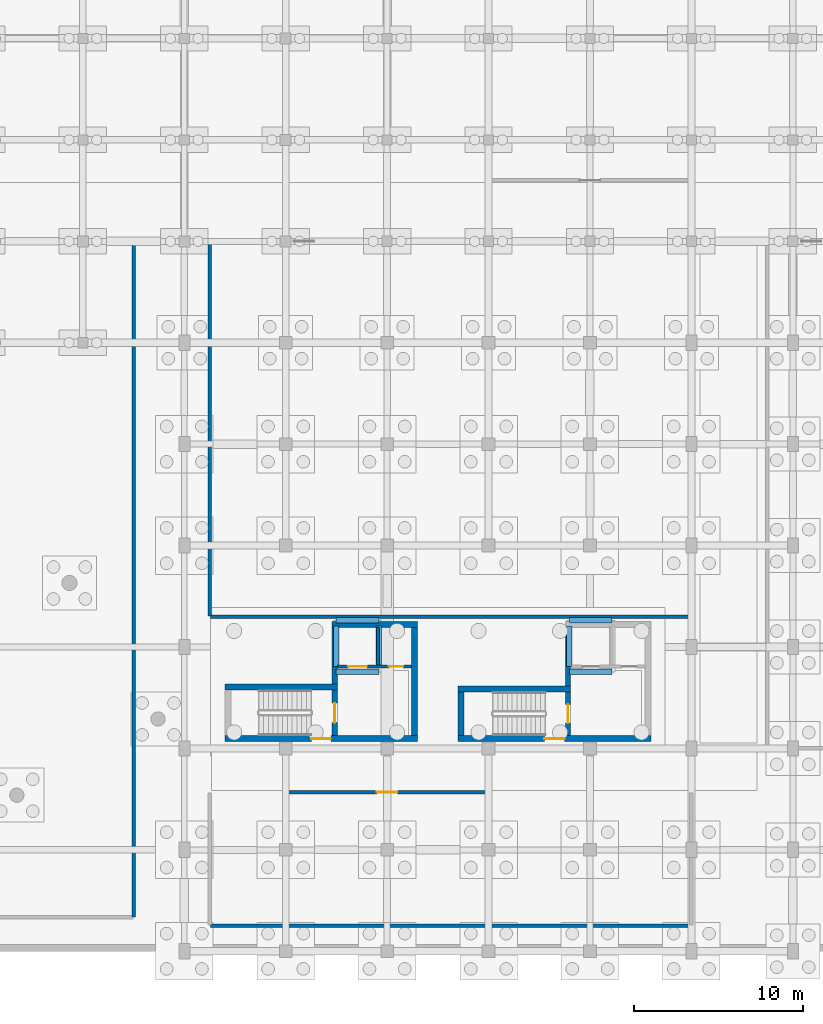
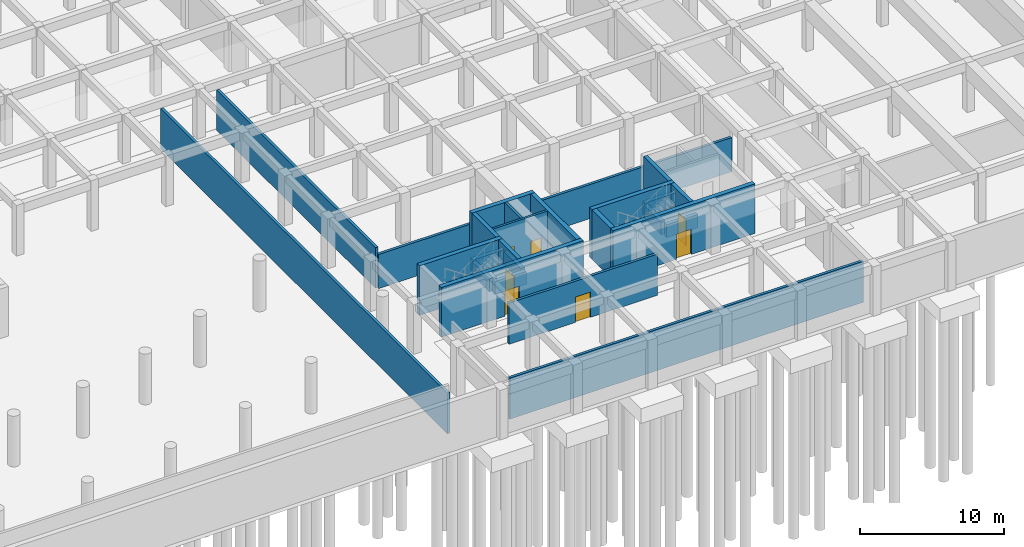
# One storey, part 27 of 41: 25 walls, 7 doors, 7 openings.
"""IFC4 building model written with IfcOpenShell, lengths in metres."""

import ifcopenshell
import ifcopenshell.guid

model = None  # the IFC model being written
_history = None  # IfcOwnerHistory: only IFC2X3 demands one
_inside = {}  # id of a spatial element -> (the spatial element, [elements in it])
_under = {}  # id of a project, library or spatial element -> (it, [spatial elements below it])
_declared = {}  # id of a project -> (the project, [libraries it declares])
_typed = {}  # id of a type object -> (the type object, [elements of that type])
_made_of = {}  # id of a material, layer set ... -> (it, [elements and type objects made of it])


def new_model(schema):
    """Start an empty IFC model of exactly this schema.

    Asked for "IFC4X3", IfcOpenShell would pick the latest addendum, in which some entities
    have other attributes; the version numbers below select the first issue.
    IFC2X3 requires an IfcOwnerHistory on every rooted entity: one is made here for all.
    """
    global model, _history
    if schema == "IFC4X3":
        model = ifcopenshell.file(schema_version=(4, 3, 0, 0))
    else:
        model = ifcopenshell.file(schema=schema)
    _inside.clear()
    _under.clear()
    _declared.clear()
    _typed.clear()
    _made_of.clear()
    _history = None
    if model.schema == "IFC2X3":
        org = make("IfcOrganization", Name="unknown")
        user = make(
            "IfcPersonAndOrganization",
            ThePerson=make("IfcPerson", FamilyName="unknown"),
            TheOrganization=org,
        )
        app = make(
            "IfcApplication",
            ApplicationDeveloper=org,
            Version="unknown",
            ApplicationFullName="unknown",
            ApplicationIdentifier="unknown",
        )
        _history = make(
            "IfcOwnerHistory",
            OwningUser=user,
            OwningApplication=app,
            ChangeAction="ADDED",
            CreationDate=0,
        )
    return model


def make(cls, **values):
    """One entity of the class cls with the attributes given. An attribute that is None is left unset."""
    return model.create_entity(
        cls, **{name: value for name, value in values.items() if value is not None}
    )


def rooted(cls, **values):
    """An entity with a GlobalId (a new one), such as an element, a storey or a relation."""
    return make(cls, GlobalId=ifcopenshell.guid.new(), OwnerHistory=_history, **values)


def si_unit(unit_type, name, prefix=None):
    """IfcSIUnit, for example si_unit("LENGTHUNIT", "METRE", prefix="MILLI")."""
    return make("IfcSIUnit", UnitType=unit_type, Prefix=prefix, Name=name)


def assignment(units):
    """IfcUnitAssignment: the units of a project."""
    return None if units is None else make("IfcUnitAssignment", Units=units)


def point(xyz):
    """IfcCartesianPoint."""
    return None if xyz is None else make("IfcCartesianPoint", Coordinates=xyz)


def direction(xyz):
    """IfcDirection."""
    return None if xyz is None else make("IfcDirection", DirectionRatios=xyz)


def frame(location, z_axis=None, x_axis=None):
    """IfcAxis2Placement3D, a coordinate frame: its origin and axes. An axis left out is left unset."""
    return make(
        "IfcAxis2Placement3D",
        Location=point(location),
        Axis=direction(z_axis),
        RefDirection=direction(x_axis),
    )


def frame_2d(location, x_axis=None):
    """IfcAxis2Placement2D, a coordinate frame in the plane: its origin and x axis."""
    return make(
        "IfcAxis2Placement2D", Location=point(location), RefDirection=direction(x_axis)
    )


def origin():
    """The frame at (0, 0, 0) with its axes left unset."""
    return frame((0.0, 0.0, 0.0))


def place(relative_to, where):
    """IfcLocalPlacement: puts the frame where relative to a parent placement (None: the world)."""
    return make(
        "IfcLocalPlacement", PlacementRelTo=relative_to, RelativePlacement=where
    )


def context(
    kind, dimensions, precision=None, world=None, true_north=None, identifier=None
):
    """IfcGeometricRepresentationContext, for example the 3D "Model" context."""
    return make(
        "IfcGeometricRepresentationContext",
        ContextIdentifier=identifier,
        ContextType=kind,
        CoordinateSpaceDimension=dimensions,
        Precision=precision,
        WorldCoordinateSystem=world,
        TrueNorth=true_north,
    )


def subcontext(parent, identifier, kind, view, scale=None):
    """IfcGeometricRepresentationSubContext, for example "Body" below "Model"."""
    return make(
        "IfcGeometricRepresentationSubContext",
        ContextIdentifier=identifier,
        ContextType=kind,
        ParentContext=parent,
        TargetScale=scale,
        TargetView=view,
    )


def project(units=None, contexts=None):
    """IfcProject with its units and contexts."""
    return rooted(
        "IfcProject",
        Name="project",
        RepresentationContexts=contexts,
        UnitsInContext=assignment(units),
    )


def spatial(cls, under=None, at=None, **own):
    """A site, building, storey or space (cls), placed at a placement, below another one or the project."""
    s = rooted(cls, ObjectPlacement=at, **own)
    if under is not None:
        _under.setdefault(under.id(), (under, []))[1].append(s)
    return s


def profile(cls, at=None, kind="AREA", **sizes):
    """A parametric profile (cls). Its sizes go by their IFC names, for example OverallWidth=200.0."""
    return make(cls, ProfileType=kind, Position=at, **sizes)


def rectangle(**sizes):
    """IfcRectangleProfileDef."""
    return profile("IfcRectangleProfileDef", **sizes)


def extrude(swept, where, along, depth):
    """IfcExtrudedAreaSolid: the profile swept, set in the frame where, extruded along a direction by depth."""
    return make(
        "IfcExtrudedAreaSolid",
        SweptArea=swept,
        Position=where,
        ExtrudedDirection=direction(along),
        Depth=depth,
    )


def shape(context_of_items, identifier, shape_type, items):
    """IfcShapeRepresentation: the items that make up one representation, for example the "Body"."""
    return make(
        "IfcShapeRepresentation",
        ContextOfItems=context_of_items,
        RepresentationIdentifier=identifier,
        RepresentationType=shape_type,
        Items=items,
    )


def material(Name=None, Category=None):
    """IfcMaterial."""
    return make("IfcMaterial", Name=Name, Category=Category)


def layer(
    of_material, thickness, ventilated=None, Name=None, Category=None, Priority=None
):
    """IfcMaterialLayer: one layer of a wall or slab, of a material (None: an air gap)."""
    return make(
        "IfcMaterialLayer",
        Material=of_material,
        LayerThickness=thickness,
        IsVentilated=ventilated,
        Name=Name,
        Category=Category,
        Priority=Priority,
    )


def layer_set(layers, Name=None):
    """IfcMaterialLayerSet."""
    return make("IfcMaterialLayerSet", MaterialLayers=layers, LayerSetName=Name)


def made_of(thing, what):
    """Note that an element or type object is made of a material, layer set ...; save() writes the relation."""
    if what is not None:
        _made_of.setdefault(what.id(), (what, []))[1].append(thing)
    return thing


def type_object(cls, material=None, **own):
    """A type object (cls), such as IfcWallType, which elements share."""
    return made_of(rooted(cls, **own), material)


def element(
    cls,
    number,
    at=None,
    inside=None,
    cuts=None,
    type_object=None,
    material=None,
    context=None,
    identifier="Body",
    shape_type=None,
    held_by="IfcProductDefinitionShape",
    body=None,
    shapes=None,
    **own,
):
    """One element of the class cls, such as IfcWall. Its Tag is "e" and its number.

    at: its placement. inside: the storey or other place that contains it. cuts: it is an
    opening in that element (IfcRelVoidsElement). A single representation is given by context,
    identifier, shape_type and body (its items); several are given by shapes. held_by: the class
    of the entity that holds the representations. save() writes the other relations.
    """
    e = rooted(cls, Tag="e%d" % number, ObjectPlacement=at, **own)
    if body is not None:
        shapes = [shape(context, identifier, shape_type, body)]
    if shapes is not None:
        e.Representation = make(held_by, Representations=shapes)
    if inside is not None:
        _inside.setdefault(inside.id(), (inside, []))[1].append(e)
    if cuts is not None:
        rooted(
            "IfcRelVoidsElement", RelatingBuildingElement=cuts, RelatedOpeningElement=e
        )
    if type_object is not None:
        _typed.setdefault(type_object.id(), (type_object, []))[1].append(e)
    return made_of(e, material)


def fill(opening, filler):
    """IfcRelFillsElement: the door or window that sits in an opening."""
    return rooted(
        "IfcRelFillsElement",
        RelatingOpeningElement=opening,
        RelatedBuildingElement=filler,
    )


def aggregate(whole, parts):
    """IfcRelAggregates: a whole, such as a stair, and the parts it consists of."""
    return rooted("IfcRelAggregates", RelatingObject=whole, RelatedObjects=parts)


def save(model, path):
    """Write the relations noted so far, then the file.

    IfcRelAggregates (storeys below a building ...), IfcRelContainedInSpatialStructure (elements
    in a storey), IfcRelDefinesByType, IfcRelAssociatesMaterial and IfcRelDeclares: one each for
    every whole, place, type object, material and project.
    """
    for whole, parts in _under.values():
        aggregate(whole, parts)
    for where, things in _inside.values():
        rooted(
            "IfcRelContainedInSpatialStructure",
            RelatedElements=things,
            RelatingStructure=where,
        )
    for kind, things in _typed.values():
        rooted("IfcRelDefinesByType", RelatedObjects=things, RelatingType=kind)
    for what, things in _made_of.values():
        rooted("IfcRelAssociatesMaterial", RelatedObjects=things, RelatingMaterial=what)
    for by, libraries in _declared.values():
        rooted("IfcRelDeclares", RelatingContext=by, RelatedDefinitions=libraries)
    model.write(path)


model = new_model("IFC4")

# Units and contexts
model_context = context("Model", 3, precision=1e-05, world=origin(), true_north=direction((0.0, 1.0)))
body_context = subcontext(model_context, "Body", "Model", "MODEL_VIEW")
ifc_project = project(units=[si_unit("LENGTHUNIT", "METRE"), si_unit("AREAUNIT", "SQUARE_METRE"), si_unit("VOLUMEUNIT", "CUBIC_METRE"), si_unit("PLANEANGLEUNIT", "RADIAN"), si_unit("MASSUNIT", "GRAM", prefix="KILO"), si_unit("POWERUNIT", "WATT"), si_unit("THERMODYNAMICTEMPERATUREUNIT", "KELVIN")], contexts=[model_context])

# Site, building, storey
site_placement = place(None, origin())
site = spatial("IfcSite", under=ifc_project, at=site_placement, CompositionType="ELEMENT")
building_placement = place(site_placement, origin())
building = spatial("IfcBuilding", under=site, at=building_placement, Name="Ruvembo Vaulted Housing Court", CompositionType="ELEMENT")
storey_placement = place(building_placement, frame((0.0, 0.0, -4.5)))
storey = spatial("IfcBuildingStorey", under=building, at=storey_placement, Name="B1", CompositionType="ELEMENT", Elevation=-4.5)

# Wall, opening, door
ifc_material_1 = material(Name="Concrete C35/45", Category="concrete")
ifc_layer_1 = layer(ifc_material_1, 0.300048828125, Name="Concrete C35/45")
ifc_layer_set_1 = layer_set([ifc_layer_1], Name="Concrete C35/45")
wall_type_1 = type_object("IfcWallType", Name="WL-CORE-300", PredefinedType="SHEAR", material=ifc_layer_set_1)
wall_1_placement = place(storey_placement, frame((110.89990234375, 12.75, 0.0), z_axis=(0.0, 0.0, 1.0), x_axis=(0.0, 1.0, 0.0)))
wall_1 = element("IfcWall", 1, at=wall_1_placement, inside=storey, type_object=wall_type_1, Name="Core C1 B1 Stair-Lobby Shear Wall", PredefinedType="SHEAR", context=body_context, shape_type="SweptSolid", body=[
    extrude(rectangle(XDim=2.699951171875, YDim=0.300048828125, at=frame_2d((1.35009765625, 0.0))), origin(), (0.0, 0.0, 1.0), 4.215087890625),
])
opening_1_placement = place(wall_1_placement, frame((0.77490234375, 0.0, 0.0)))
opening_1 = element("IfcOpeningElement", 2, at=opening_1_placement, cuts=wall_1, Name="Opening SD1", PredefinedType="OPENING", context=body_context, shape_type="SweptSolid", body=[
    extrude(rectangle(XDim=1.14990234375, YDim=2.14990234375, at=frame_2d((0.574951171875, 1.074951171875))), frame((0.0, 0.159912109375, 0.0), z_axis=(0.0, -1.0, 0.0), x_axis=(1.0, 0.0, 0.0)), (0.0, 0.0, 1.0), 0.320068359375),
])
ifc_material_2 = material(Name="Galvanised Painted Steel", Category="steel")
door_type_1 = type_object("IfcDoorType", Name="DR-STAIR-1150x2150", OperationType="NOTDEFINED", PredefinedType="DOOR", material=ifc_material_2)
door_1_placement = place(opening_1_placement, origin())
door_1 = element("IfcDoor", 3, at=door_1_placement, inside=storey, type_object=door_type_1, Name="Stair ST-C1 B1 Fire Door", OperationType="SINGLE_SWING_RIGHT", OverallHeight=2.14990234375, OverallWidth=1.14990234375, PredefinedType="DOOR", context=body_context, shape_type="SweptSolid", body=[
    extrude(rectangle(XDim=1.14990234375, YDim=2.14990234375, at=frame_2d((0.574951171875, 1.074951171875))), frame((0.0, 0.02490234375, 0.0), z_axis=(0.0, -1.0, 0.0), x_axis=(1.0, 0.0, 0.0)), (0.0, 0.0, 1.0), 0.050048828125),
])
fill(opening_1, door_1)

# Wall
wall_2_placement = place(storey_placement, frame((110.89990234375, 15.800048828125, 0.0), z_axis=(0.0, 0.0, 1.0), x_axis=(0.0, 1.0, 0.0)))
element("IfcWall", 4, at=wall_2_placement, inside=storey, type_object=wall_type_1, Name="Core C1 B1 Upper West Shear Wall", PredefinedType="SHEAR", context=body_context, shape_type="SweptSolid", body=[
    extrude(rectangle(XDim=3.349853515625, YDim=0.300048828125, at=frame_2d((1.6748046875, 0.0))), origin(), (0.0, 0.0, 1.0), 4.215087890625),
])

# Wall, opening, door
wall_3_placement = place(storey_placement, frame((124.699951171875, 12.75, 0.0), z_axis=(0.0, 0.0, 1.0), x_axis=(0.0, 1.0, 0.0)))
wall_3 = element("IfcWall", 5, at=wall_3_placement, inside=storey, type_object=wall_type_1, Name="Core C2 B1 Stair-Lobby Shear Wall", PredefinedType="SHEAR", context=body_context, shape_type="SweptSolid", body=[
    extrude(rectangle(XDim=2.60009765625, YDim=0.300048828125, at=frame_2d((1.300048828125, 0.0))), origin(), (0.0, 0.0, 1.0), 4.215087890625),
])
opening_2_placement = place(wall_3_placement, frame((0.75, 0.0, 0.0)))
opening_2 = element("IfcOpeningElement", 6, at=opening_2_placement, cuts=wall_3, Name="Opening SD2", PredefinedType="OPENING", context=body_context, shape_type="SweptSolid", body=[
    extrude(rectangle(XDim=1.10009765625, YDim=2.14990234375, at=frame_2d((0.550048828125, 1.074951171875))), frame((0.0, 0.159912109375, 0.0), z_axis=(0.0, -1.0, 0.0), x_axis=(1.0, 0.0, 0.0)), (0.0, 0.0, 1.0), 0.320068359375),
])
door_type_2 = type_object("IfcDoorType", Name="DR-STAIR-1100x2150", OperationType="NOTDEFINED", PredefinedType="DOOR", material=ifc_material_2)
door_2_placement = place(opening_2_placement, origin())
door_2 = element("IfcDoor", 7, at=door_2_placement, inside=storey, type_object=door_type_2, Name="Stair ST-C2 B1 Fire Door", OperationType="SINGLE_SWING_LEFT", OverallHeight=2.14990234375, OverallWidth=1.10009765625, PredefinedType="DOOR", context=body_context, shape_type="SweptSolid", body=[
    extrude(rectangle(XDim=1.10009765625, YDim=2.14990234375, at=frame_2d((0.550048828125, 1.074951171875))), frame((0.0, 0.02490234375, 0.0), z_axis=(0.0, -1.0, 0.0), x_axis=(1.0, 0.0, 0.0)), (0.0, 0.0, 1.0), 0.050048828125),
])
fill(opening_2, door_2)

# Wall
wall_4_placement = place(storey_placement, frame((124.699951171875, 15.699951171875, 0.0), z_axis=(0.0, 0.0, 1.0), x_axis=(0.0, 1.0, 0.0)))
element("IfcWall", 8, at=wall_4_placement, inside=storey, type_object=wall_type_1, Name="Core C2 B1 Upper West Shear Wall", PredefinedType="SHEAR", context=body_context, shape_type="SweptSolid", body=[
    extrude(rectangle(XDim=3.449951171875, YDim=0.300048828125, at=frame_2d((1.72509765625, 0.0))), origin(), (0.0, 0.0, 1.0), 4.215087890625),
])

# Wall, opening, door
ifc_layer_2 = layer(ifc_material_1, 0.35009765625, Name="Concrete C35/45")
ifc_layer_set_2 = layer_set([ifc_layer_2], Name="Concrete C35/45")
wall_type_2 = type_object("IfcWallType", Name="WL-CORE-350", PredefinedType="SHEAR", material=ifc_layer_set_2)
wall_5_placement = place(storey_placement, frame((104.39990234375, 12.574951171875, 0.0), z_axis=(0.0, 0.0, 1.0), x_axis=(1.0, 0.0, 0.0)))
wall_5 = element("IfcWall", 9, at=wall_5_placement, inside=storey, type_object=wall_type_2, Name="Core C1 B1 South Shear Wall", PredefinedType="SHEAR", context=body_context, shape_type="SweptSolid", body=[
    extrude(rectangle(XDim=11.400146484375, YDim=0.35009765625, at=frame_2d((5.7001953125, 0.0))), origin(), (0.0, 0.0, 1.0), 4.215087890625),
])
opening_3_placement = place(wall_5_placement, frame((5.125, 0.0, 0.0)))
opening_3 = element("IfcOpeningElement", 10, at=opening_3_placement, cuts=wall_5, Name="Opening LD0", PredefinedType="OPENING", context=body_context, shape_type="SweptSolid", body=[
    extrude(rectangle(XDim=1.14990234375, YDim=2.14990234375, at=frame_2d((0.574951171875, 1.074951171875))), frame((0.0, 0.18505859375, 0.0), z_axis=(0.0, -1.0, 0.0), x_axis=(1.0, 0.0, 0.0)), (0.0, 0.0, 1.0), 0.3701171875),
])
door_type_3 = type_object("IfcDoorType", Name="DR-LOB-1150x2150", OperationType="NOTDEFINED", PredefinedType="DOOR", material=ifc_material_2)
door_3_placement = place(opening_3_placement, origin())
door_3 = element("IfcDoor", 11, at=door_3_placement, inside=storey, type_object=door_type_3, Name="Core C1 B1 Lobby Fire Door", OperationType="SINGLE_SWING_LEFT", OverallHeight=2.14990234375, OverallWidth=1.14990234375, PredefinedType="DOOR", context=body_context, shape_type="SweptSolid", body=[
    extrude(rectangle(XDim=1.14990234375, YDim=2.14990234375, at=frame_2d((0.574951171875, 1.074951171875))), frame((0.0, 0.02490234375, 0.0), z_axis=(0.0, -1.0, 0.0), x_axis=(1.0, 0.0, 0.0)), (0.0, 0.0, 1.0), 0.050048828125),
])
fill(opening_3, door_3)

# Walls
wall_6_placement = place(storey_placement, frame((111.050048828125, 15.625, 0.0), z_axis=(0.0, 0.0, 1.0), x_axis=(-1.0, 0.0, 0.0)))
element("IfcWall", 12, at=wall_6_placement, inside=storey, type_object=wall_type_2, Name="Core C1 B1 Stair North Shear Wall", PredefinedType="SHEAR", context=body_context, shape_type="SweptSolid", body=[
    extrude(rectangle(XDim=6.650146484375, YDim=0.35009765625, at=frame_2d((3.3251953125, 0.0))), origin(), (0.0, 0.0, 1.0), 4.215087890625),
])
wall_7_placement = place(storey_placement, frame((115.800048828125, 19.324951171875, 0.0), z_axis=(0.0, 0.0, 1.0), x_axis=(-1.0, 0.0, 0.0)))
element("IfcWall", 13, at=wall_7_placement, inside=storey, type_object=wall_type_2, Name="Core C1 B1 North Shear Wall", PredefinedType="SHEAR", context=body_context, shape_type="SweptSolid", body=[
    extrude(rectangle(XDim=5.050048828125, YDim=0.35009765625, at=frame_2d((2.52490234375, 0.0))), origin(), (0.0, 0.0, 1.0), 4.215087890625),
])
wall_8_placement = place(storey_placement, frame((115.625, 12.75, 0.0), z_axis=(0.0, 0.0, 1.0), x_axis=(0.0, 1.0, 0.0)))
element("IfcWall", 14, at=wall_8_placement, inside=storey, type_object=wall_type_2, Name="Core C1 B1 East Shear Wall", PredefinedType="SHEAR", context=body_context, shape_type="SweptSolid", body=[
    extrude(rectangle(XDim=6.39990234375, YDim=0.35009765625, at=frame_2d((3.199951171875, 0.0))), origin(), (0.0, 0.0, 1.0), 4.215087890625),
])

# Wall, opening, door
wall_9_placement = place(storey_placement, frame((118.199951171875, 12.574951171875, 0.0), z_axis=(0.0, 0.0, 1.0), x_axis=(1.0, 0.0, 0.0)))
wall_9 = element("IfcWall", 15, at=wall_9_placement, inside=storey, type_object=wall_type_2, Name="Core C2 B1 South Shear Wall", PredefinedType="SHEAR", context=body_context, shape_type="SweptSolid", body=[
    extrude(rectangle(XDim=11.400146484375, YDim=0.35009765625, at=frame_2d((5.7001953125, 0.0))), origin(), (0.0, 0.0, 1.0), 4.215087890625),
])
opening_4_placement = place(wall_9_placement, frame((5.10009765625, 0.0, 0.0)))
opening_4 = element("IfcOpeningElement", 16, at=opening_4_placement, cuts=wall_9, Name="Opening LD3", PredefinedType="OPENING", context=body_context, shape_type="SweptSolid", body=[
    extrude(rectangle(XDim=1.199951171875, YDim=2.14990234375, at=frame_2d((0.60009765625, 1.074951171875))), frame((0.0, 0.18505859375, 0.0), z_axis=(0.0, -1.0, 0.0), x_axis=(1.0, 0.0, 0.0)), (0.0, 0.0, 1.0), 0.3701171875),
])
door_type_4 = type_object("IfcDoorType", Name="DR-LOB-1200x2150", OperationType="NOTDEFINED", PredefinedType="DOOR", material=ifc_material_2)
door_4_placement = place(opening_4_placement, origin())
door_4 = element("IfcDoor", 17, at=door_4_placement, inside=storey, type_object=door_type_4, Name="Core C2 B1 Lobby Fire Door", OperationType="SINGLE_SWING_RIGHT", OverallHeight=2.14990234375, OverallWidth=1.199951171875, PredefinedType="DOOR", context=body_context, shape_type="SweptSolid", body=[
    extrude(rectangle(XDim=1.199951171875, YDim=2.14990234375, at=frame_2d((0.60009765625, 1.074951171875))), frame((0.0, 0.02490234375, 0.0), z_axis=(0.0, -1.0, 0.0), x_axis=(1.0, 0.0, 0.0)), (0.0, 0.0, 1.0), 0.050048828125),
])
fill(opening_4, door_4)

# Walls
wall_10_placement = place(storey_placement, frame((124.85009765625, 15.52490234375, 0.0), z_axis=(0.0, 0.0, 1.0), x_axis=(-1.0, 0.0, 0.0)))
element("IfcWall", 18, at=wall_10_placement, inside=storey, type_object=wall_type_2, Name="Core C2 B1 Stair North Shear Wall", PredefinedType="SHEAR", context=body_context, shape_type="SweptSolid", body=[
    extrude(rectangle(XDim=6.650146484375, YDim=0.35009765625, at=frame_2d((3.3251953125, 0.0))), origin(), (0.0, 0.0, 1.0), 4.215087890625),
])
wall_11_placement = place(storey_placement, frame((118.375, 15.35009765625, 0.0), z_axis=(0.0, 0.0, 1.0), x_axis=(0.0, -1.0, 0.0)))
element("IfcWall", 19, at=wall_11_placement, inside=storey, type_object=wall_type_2, Name="Core C2 B1 Stair West Shear Wall", PredefinedType="SHEAR", context=body_context, shape_type="SweptSolid", body=[
    extrude(rectangle(XDim=2.60009765625, YDim=0.35009765625, at=frame_2d((1.300048828125, 0.0))), origin(), (0.0, 0.0, 1.0), 4.215087890625),
])

# Wall, opening, door
ifc_material_3 = material(Name="Concrete Blockwork 210", Category="masonry")
ifc_layer_3 = layer(ifc_material_3, 0.2099609375, Name="Concrete Blockwork 210")
ifc_layer_set_3 = layer_set([ifc_layer_3], Name="Concrete Blockwork 210")
wall_type_3 = type_object("IfcWallType", Name="WL-CORR-210", PredefinedType="SOLIDWALL", material=ifc_layer_set_3)
wall_12_placement = place(storey_placement, frame((108.0400390625, 9.39990234375, 0.0), z_axis=(0.0, 0.0, 1.0), x_axis=(1.0, 0.0, 0.0)))
wall_12 = element("IfcWall", 20, at=wall_12_placement, inside=storey, type_object=wall_type_3, Name="B1 Cooperative Bulk Cold & Dry Stores WL-INT-B1-00017", PredefinedType="SOLIDWALL", context=body_context, shape_type="SweptSolid", body=[
    extrude(rectangle(XDim=11.919921875, YDim=0.2099609375, at=frame_2d((5.9599609375, 0.0))), origin(), (0.0, 0.0, 1.0), 3.4970703125),
])
opening_5_placement = place(wall_12_placement, frame((5.360107421875, 0.0, 0.0)))
opening_5 = element("IfcOpeningElement", 21, at=opening_5_placement, cuts=wall_12, Name="Opening PD1", PredefinedType="OPENING", context=body_context, shape_type="SweptSolid", body=[
    extrude(rectangle(XDim=1.199951171875, YDim=2.14990234375, at=frame_2d((0.60009765625, 1.074951171875))), frame((0.0, 0.114990234375, 0.0), z_axis=(0.0, -1.0, 0.0), x_axis=(1.0, 0.0, 0.0)), (0.0, 0.0, 1.0), 0.22998046875),
])
door_type_5 = type_object("IfcDoorType", Name="DR-PLANT-1200x2150", OperationType="NOTDEFINED", PredefinedType="DOOR", material=ifc_material_2)
door_5_placement = place(opening_5_placement, origin())
door_5 = element("IfcDoor", 22, at=door_5_placement, inside=storey, type_object=door_type_5, Name="B1 Cooperative Bulk Cold & Dry Stores Door DR-INT-B1-00005", OperationType="SINGLE_SWING_LEFT", OverallHeight=2.14990234375, OverallWidth=1.199951171875, PredefinedType="DOOR", context=body_context, shape_type="SweptSolid", body=[
    extrude(rectangle(XDim=1.199951171875, YDim=2.14990234375, at=frame_2d((0.60009765625, 1.074951171875))), frame((0.0, 0.02490234375, 0.0), z_axis=(0.0, -1.0, 0.0), x_axis=(1.0, 0.0, 0.0)), (0.0, 0.0, 1.0), 0.050048828125),
])
fill(opening_5, door_5)

# Walls
wall_13_placement = place(storey_placement, frame((103.5400390625, 1.5, 0.0), z_axis=(0.0, 0.0, 1.0), x_axis=(1.0, 0.0, 0.0)))
element("IfcWall", 23, at=wall_13_placement, inside=storey, type_object=wall_type_3, Name="B1 Cooperative Bulk Cold & Dry Stores WL-INT-B1-00018", PredefinedType="SOLIDWALL", context=body_context, shape_type="SweptSolid", body=[
    extrude(rectangle(XDim=28.419921875, YDim=0.2099609375, at=frame_2d((14.2099609375, 0.0))), origin(), (0.0, 0.0, 1.0), 3.4970703125),
])
wall_14_placement = place(storey_placement, frame((103.5400390625, 19.800048828125, 0.0), z_axis=(0.0, 0.0, 1.0), x_axis=(1.0, 0.0, 0.0)))
element("IfcWall", 24, at=wall_14_placement, inside=storey, type_object=wall_type_3, Name="B1 Greywater Treatment & Pump Plant WL-INT-B1-00022", PredefinedType="SOLIDWALL", context=body_context, shape_type="SweptSolid", body=[
    extrude(rectangle(XDim=28.419921875, YDim=0.2099609375, at=frame_2d((14.2099609375, 0.0))), origin(), (0.0, 0.0, 1.0), 2.89697265625),
])
wall_15_placement = place(storey_placement, frame((103.5, 41.9599609375, 0.0), z_axis=(0.0, 0.0, 1.0), x_axis=(0.0, -1.0, 0.0)))
element("IfcWall", 25, at=wall_15_placement, inside=storey, type_object=wall_type_3, Name="B1 Greywater Treatment & Pump Plant WL-INT-B1-00024", PredefinedType="SOLIDWALL", context=body_context, shape_type="SweptSolid", body=[
    extrude(rectangle(XDim=22.119873046875, YDim=0.2099609375, at=frame_2d((11.06005859375, 0.0))), origin(), (0.0, 0.0, 1.0), 3.447021484375),
])
wall_16_placement = place(storey_placement, frame((99.0, 2.0400390625, 0.0), z_axis=(0.0, 0.0, 1.0), x_axis=(0.0, 1.0, 0.0)))
element("IfcWall", 26, at=wall_16_placement, inside=storey, type_object=wall_type_3, Name="B1 Central Rainwater & Irrigation Retention Vault WL-INT-B1-00050", PredefinedType="SOLIDWALL", context=body_context, shape_type="SweptSolid", body=[
    extrude(rectangle(XDim=39.919921875, YDim=0.2099609375, at=frame_2d((19.9599609375, 0.0))), origin(), (0.0, 0.0, 1.0), 3.447021484375),
])
ifc_layer_4 = layer(ifc_material_1, 0.324951171875, Name="Concrete C35/45")
ifc_layer_set_4 = layer_set([ifc_layer_4], Name="Concrete C35/45")
wall_type_4 = type_object("IfcWallType", Name="WL-PIT-325", PredefinedType="SHEAR", material=ifc_layer_set_4)
wall_17_placement = place(storey_placement, frame((110.987548828125, 16.52490234375, -1.10009765625), z_axis=(0.0, 0.0, 1.0), x_axis=(1.0, 0.0, 0.0)))
element("IfcWall", 27, at=wall_17_placement, inside=storey, type_object=wall_type_4, Name="Lift LP-C1 Pit Wall 1", PredefinedType="SHEAR", context=body_context, shape_type="SweptSolid", body=[
    extrude(rectangle(XDim=2.52490234375, YDim=0.324951171875, at=frame_2d((1.262451171875, 0.0))), origin(), (0.0, 0.0, 1.0), 1.10009765625),
])
wall_18_placement = place(storey_placement, frame((113.512451171875, 16.85009765625, -1.10009765625), z_axis=(0.0, 0.0, 1.0), x_axis=(0.0, 1.0, 0.0)))
element("IfcWall", 28, at=wall_18_placement, inside=storey, type_object=wall_type_4, Name="Lift LP-C1 Pit Wall 2", PredefinedType="SHEAR", context=body_context, shape_type="SweptSolid", body=[
    extrude(rectangle(XDim=2.39990234375, YDim=0.324951171875, at=frame_2d((1.199951171875, 0.0))), origin(), (0.0, 0.0, 1.0), 1.10009765625),
])
wall_19_placement = place(storey_placement, frame((113.512451171875, 19.574951171875, -1.10009765625), z_axis=(0.0, 0.0, 1.0), x_axis=(-1.0, 0.0, 0.0)))
element("IfcWall", 29, at=wall_19_placement, inside=storey, type_object=wall_type_4, Name="Lift LP-C1 Pit Wall 3", PredefinedType="SHEAR", context=body_context, shape_type="SweptSolid", body=[
    extrude(rectangle(XDim=2.52490234375, YDim=0.324951171875, at=frame_2d((1.262451171875, 0.0))), origin(), (0.0, 0.0, 1.0), 1.10009765625),
])
wall_20_placement = place(storey_placement, frame((110.987548828125, 19.25, -1.10009765625), z_axis=(0.0, 0.0, 1.0), x_axis=(0.0, -1.0, 0.0)))
element("IfcWall", 30, at=wall_20_placement, inside=storey, type_object=wall_type_4, Name="Lift LP-C1 Pit Wall 4", PredefinedType="SHEAR", context=body_context, shape_type="SweptSolid", body=[
    extrude(rectangle(XDim=2.39990234375, YDim=0.324951171875, at=frame_2d((1.199951171875, 0.0))), origin(), (0.0, 0.0, 1.0), 1.10009765625),
])
for number, where, z_axis, x_axis, name in (
    (31, (124.78759765625, 16.52490234375, -1.10009765625), (0.0, 0.0, 1.0), (1.0, 0.0, 0.0), "Lift LP-C2 Pit Wall 1"),
    (32, (127.3125, 19.574951171875, -1.10009765625), (0.0, 0.0, 1.0), (-1.0, 0.0, 0.0), "Lift LP-C2 Pit Wall 3"),
):
    element("IfcWall", number, at=place(storey_placement, frame(where, z_axis=z_axis, x_axis=x_axis)), inside=storey, type_object=wall_type_4, Name=name, PredefinedType="SHEAR", context=body_context, shape_type="SweptSolid", body=[
        extrude(rectangle(XDim=2.52490234375, YDim=0.324951171875, at=frame_2d((1.262451171875, 0.0))), origin(), (0.0, 0.0, 1.0), 1.10009765625),
    ])
wall_21_placement = place(storey_placement, frame((124.78759765625, 19.25, -1.10009765625), z_axis=(0.0, 0.0, 1.0), x_axis=(0.0, -1.0, 0.0)))
element("IfcWall", 33, at=wall_21_placement, inside=storey, type_object=wall_type_4, Name="Lift LP-C2 Pit Wall 4", PredefinedType="SHEAR", context=body_context, shape_type="SweptSolid", body=[
    extrude(rectangle(XDim=2.39990234375, YDim=0.324951171875, at=frame_2d((1.199951171875, 0.0))), origin(), (0.0, 0.0, 1.0), 1.10009765625),
])

# Wall, openings, doors
ifc_material_4 = material(Name="Fire-Rated Masonry Shaft 180", Category="masonry")
ifc_layer_5 = layer(ifc_material_4, 0.179931640625, Name="Fire-Rated Masonry Shaft 180")
ifc_layer_set_5 = layer_set([ifc_layer_5], Name="Fire-Rated Masonry Shaft 180")
wall_type_5 = type_object("IfcWallType", Name="WL-SHAFT-180", PredefinedType="SOLIDWALL", material=ifc_layer_set_5)
wall_22_placement = place(storey_placement, frame((111.050048828125, 16.85009765625, 0.0), z_axis=(0.0, 0.0, 1.0), x_axis=(1.0, 0.0, 0.0)))
wall_22 = element("IfcWall", 34, at=wall_22_placement, inside=storey, type_object=wall_type_5, Name="Core C1 B1 Lift and Riser Front Wall", PredefinedType="SOLIDWALL", context=body_context, shape_type="SweptSolid", body=[
    extrude(rectangle(XDim=4.39990234375, YDim=0.179931640625, at=frame_2d((2.199951171875, 0.0))), origin(), (0.0, 0.0, 1.0), 4.215087890625),
])
opening_6_placement = place(wall_22_placement, frame((0.64990234375, 0.0, 0.0)))
opening_6 = element("IfcOpeningElement", 35, at=opening_6_placement, cuts=wall_22, Name="Opening LD-LP-C1-B1", PredefinedType="OPENING", context=body_context, shape_type="SweptSolid", body=[
    extrude(rectangle(XDim=1.10009765625, YDim=2.14990234375, at=frame_2d((0.550048828125, 1.074951171875))), frame((0.0, 0.099853515625, 0.0), z_axis=(0.0, -1.0, 0.0), x_axis=(1.0, 0.0, 0.0)), (0.0, 0.0, 1.0), 0.199951171875),
])
opening_7_placement = place(wall_22_placement, frame((3.050048828125, 0.0, 0.0)))
opening_7 = element("IfcOpeningElement", 36, at=opening_7_placement, cuts=wall_22, Name="Opening RD1", PredefinedType="OPENING", context=body_context, shape_type="SweptSolid", body=[
    extrude(rectangle(XDim=0.85009765625, YDim=2.10009765625, at=frame_2d((0.425048828125, 1.050048828125))), frame((0.0, 0.099853515625, 0.0), z_axis=(0.0, -1.0, 0.0), x_axis=(1.0, 0.0, 0.0)), (0.0, 0.0, 1.0), 0.199951171875),
])
ifc_material_5 = material(Name="Brushed Stainless Steel 304", Category="steel")
door_type_6 = type_object("IfcDoorType", Name="DR-LIFT-1100x2150", OperationType="NOTDEFINED", PredefinedType="DOOR", material=ifc_material_5)
door_6_placement = place(opening_6_placement, origin())
door_6 = element("IfcDoor", 37, at=door_6_placement, inside=storey, type_object=door_type_6, Name="Lift LP-C1 B1 Sliding Landing Door", OperationType="SLIDING_TO_LEFT", OverallHeight=2.14990234375, OverallWidth=1.10009765625, PredefinedType="DOOR", context=body_context, shape_type="SweptSolid", body=[
    extrude(rectangle(XDim=1.10009765625, YDim=2.14990234375, at=frame_2d((0.550048828125, 1.074951171875))), frame((0.0, 0.02490234375, 0.0), z_axis=(0.0, -1.0, 0.0), x_axis=(1.0, 0.0, 0.0)), (0.0, 0.0, 1.0), 0.050048828125),
])
fill(opening_6, door_6)
door_type_7 = type_object("IfcDoorType", Name="DR-RISER-0850x2100", OperationType="NOTDEFINED", PredefinedType="DOOR", material=ifc_material_2)
door_7_placement = place(opening_7_placement, frame((0.85009765625, 0.0, 0.0), z_axis=(0.0, 0.0, 1.0), x_axis=(-1.0, 0.0, 0.0)))
door_7 = element("IfcDoor", 38, at=door_7_placement, inside=storey, type_object=door_type_7, Name="Core C1 B1 Service Riser Door", OperationType="SINGLE_SWING_LEFT", OverallHeight=2.10009765625, OverallWidth=0.85009765625, PredefinedType="DOOR", context=body_context, shape_type="SweptSolid", body=[
    extrude(rectangle(XDim=0.85009765625, YDim=2.10009765625, at=frame_2d((0.425048828125, 1.050048828125))), frame((0.0, 0.02490234375, 0.0), z_axis=(0.0, -1.0, 0.0), x_axis=(1.0, 0.0, 0.0)), (0.0, 0.0, 1.0), 0.050048828125),
])
fill(opening_7, door_7)

# Wall
wall_23_placement = place(storey_placement, frame((113.469970703125, 16.93994140625, 0.0), z_axis=(0.0, 0.0, 1.0), x_axis=(0.0, 1.0, 0.0)))
element("IfcWall", 39, at=wall_23_placement, inside=storey, type_object=wall_type_5, Name="Core C1 B1 Shaft-Riser Divider Wall", PredefinedType="SOLIDWALL", context=body_context, shape_type="SweptSolid", body=[
    extrude(rectangle(XDim=2.2099609375, YDim=0.179931640625, at=frame_2d((1.10498046875, 0.0))), origin(), (0.0, 0.0, 1.0), 4.215087890625),
])

save(model, "model.ifc")
